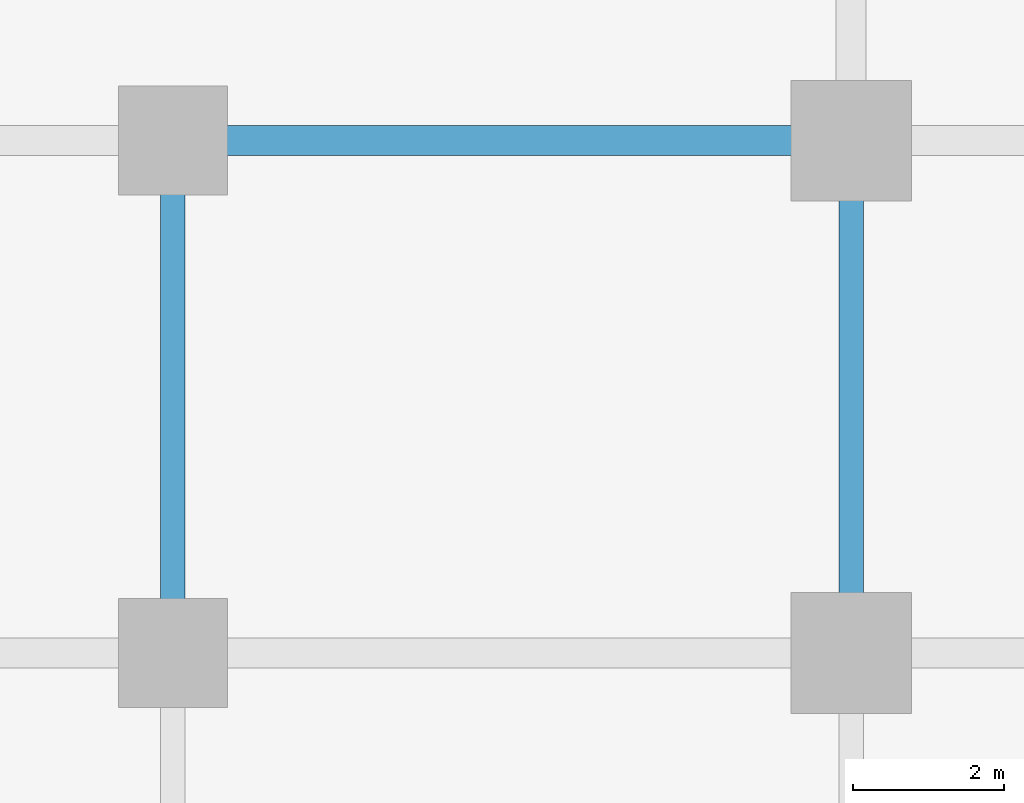
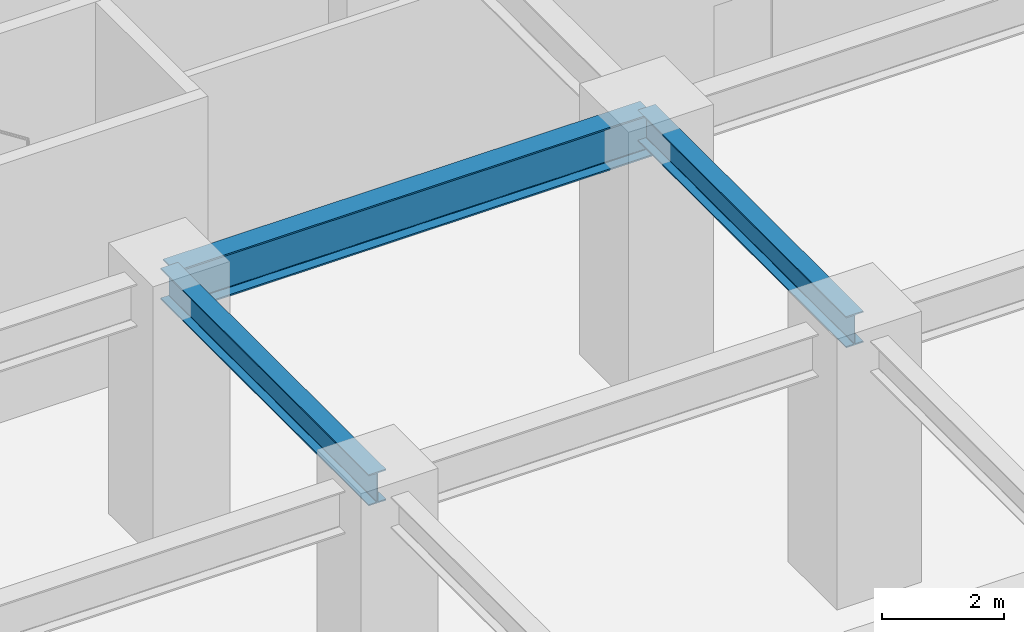
# One storey, part 6 of 33: 3 beams.
"""IFC4 building model written with IfcOpenShell, lengths in metres."""

from ifc_helpers import new_model, si_unit, direction, frame, origin, origin_2d, place, context, subcontext, project, spatial, i_section, extrude, source, transform, mapped, material, material_profile, profile_set, type_object, element, save


model = new_model("IFC4")

# Units and contexts
model_context = context("Model", 3, precision=1e-05, world=origin(), true_north=direction((0.0, 1.0)))
body_context = subcontext(model_context, "Body", "Model", "MODEL_VIEW")
ifc_project = project(units=[si_unit("LENGTHUNIT", "METRE"), si_unit("AREAUNIT", "SQUARE_METRE"), si_unit("VOLUMEUNIT", "CUBIC_METRE"), si_unit("PLANEANGLEUNIT", "RADIAN"), si_unit("MASSUNIT", "GRAM", prefix="KILO")], contexts=[model_context])

# Site, building, storey
site_placement = place(None, origin())
site = spatial("IfcSite", under=ifc_project, at=site_placement, CompositionType="ELEMENT")
building_placement = place(site_placement, origin())
building = spatial("IfcBuilding", under=site, at=building_placement, Name="Torre Montelarca", CompositionType="ELEMENT")
storey_placement = place(building_placement, frame((0.0, 0.0, 12.0)))
storey = spatial("IfcBuildingStorey", under=building, at=storey_placement, Name="L03", CompositionType="ELEMENT", Elevation=12.0)

# Beams
ifc_material = material(Name="Steel ASTM A992 Grade 50", Category="steel")
ifc_material_profile_1 = material_profile(ifc_material, i_section(OverallWidth=0.39990234375, OverallDepth=0.85498046875, WebThickness=0.018310546875, FlangeThickness=0.029296875, FilletRadius=0.02001953125, at=origin_2d()), Name="W840X299", Category="steel")
ifc_profile_set_1 = profile_set([ifc_material_profile_1], Name="Steel ASTM A992 Grade 50")
beam_type_1 = type_object("IfcBeamType", Name="BM-G-W840", PredefinedType="BEAM", material=ifc_profile_set_1)
shared_shape_1 = source(origin(), body_context, "Body", "SweptSolid", [
    extrude(i_section(OverallWidth=0.39990234375, OverallDepth=0.85498046875, WebThickness=0.018310546875, FlangeThickness=0.029296875, FilletRadius=0.02001953125, at=origin_2d()), origin(), (0.0, 0.0, 1.0), 9.0),
])
beam_placement = place(storey_placement, frame((18.0, 14.800048828125, 4.7119140625), z_axis=(1.0, 0.0, 0.0), x_axis=(0.0, 1.0, 0.0)))
element("IfcBeam", 1, at=beam_placement, inside=storey, type_object=beam_type_1, Name="L03 Grid Girder X 18.0-27.0 at Y=14.8", PredefinedType="BEAM", context=body_context, shape_type="MappedRepresentation", body=[
    mapped(shared_shape_1, transform((0.0, 0.0, 0.0), scale=1.0)),
])
ifc_material_profile_2 = material_profile(ifc_material, i_section(OverallWidth=0.326904296875, OverallDepth=0.6220703125, WebThickness=0.015380859375, FlangeThickness=0.0244140625, FilletRadius=0.014892578125, at=origin_2d()), Name="W610X195", Category="steel")
ifc_profile_set_2 = profile_set([ifc_material_profile_2], Name="Steel ASTM A992 Grade 50")
beam_type_2 = type_object("IfcBeamType", Name="BM-G-W610H", PredefinedType="BEAM", material=ifc_profile_set_2)
shared_shape_2 = source(origin(), body_context, "Body", "SweptSolid", [
    extrude(i_section(OverallWidth=0.326904296875, OverallDepth=0.6220703125, WebThickness=0.015380859375, FlangeThickness=0.0244140625, FilletRadius=0.014892578125, at=origin_2d()), origin(), (0.0, 0.0, 1.0), 6.800048828125),
])
for number, where, z_axis, x_axis, name in (
    (2, (18.0, 8.0, 4.8291015625), (0.0, 1.0, 0.0), (-1.0, 0.0, 0.0), "L03 Grid Girder Y 8.0-14.8 at X=18.0"),
    (3, (27.0, 8.0, 4.8291015625), (0.0, 1.0, 0.0), (-1.0, 0.0, 0.0), "L03 Grid Girder Y 8.0-14.8 at X=27.0"),
):
    element("IfcBeam", number, at=place(storey_placement, frame(where, z_axis=z_axis, x_axis=x_axis)), inside=storey, type_object=beam_type_2, Name=name, PredefinedType="BEAM", context=body_context, shape_type="MappedRepresentation", body=[
        mapped(shared_shape_2, transform((0.0, 0.0, 0.0), scale=1.0)),
    ])

save(model, "model.ifc")
